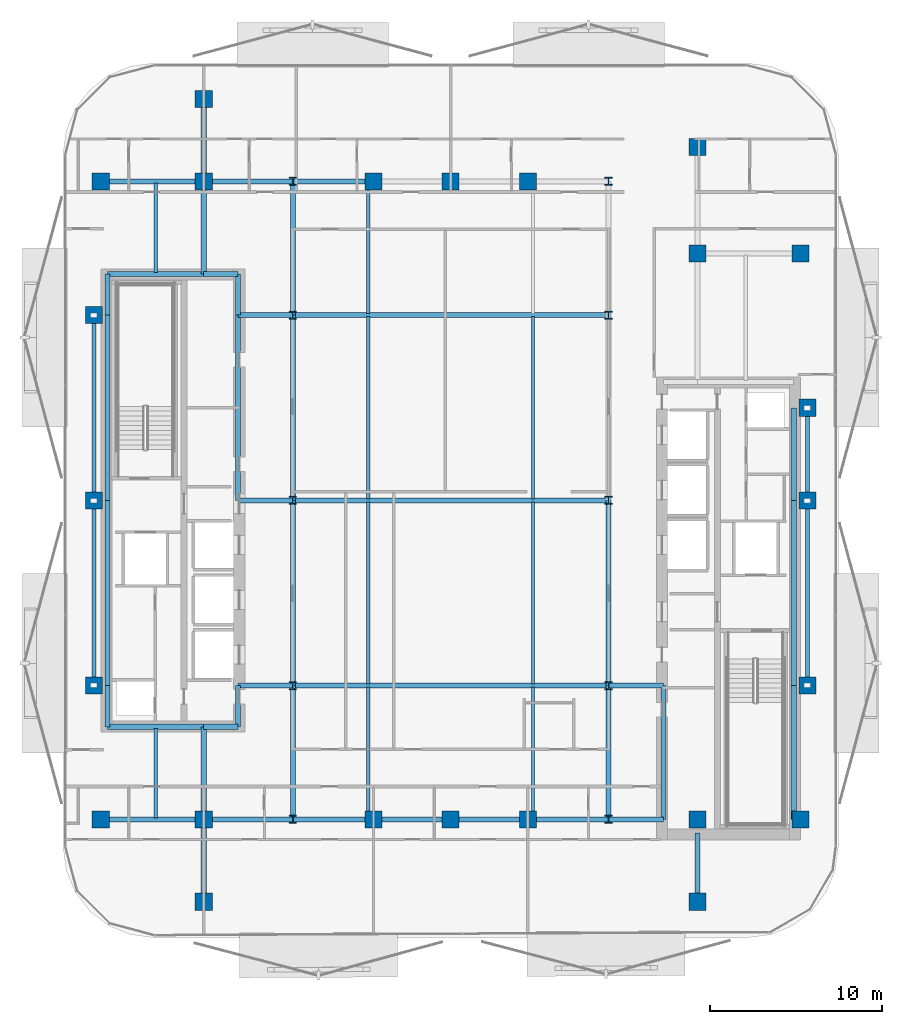
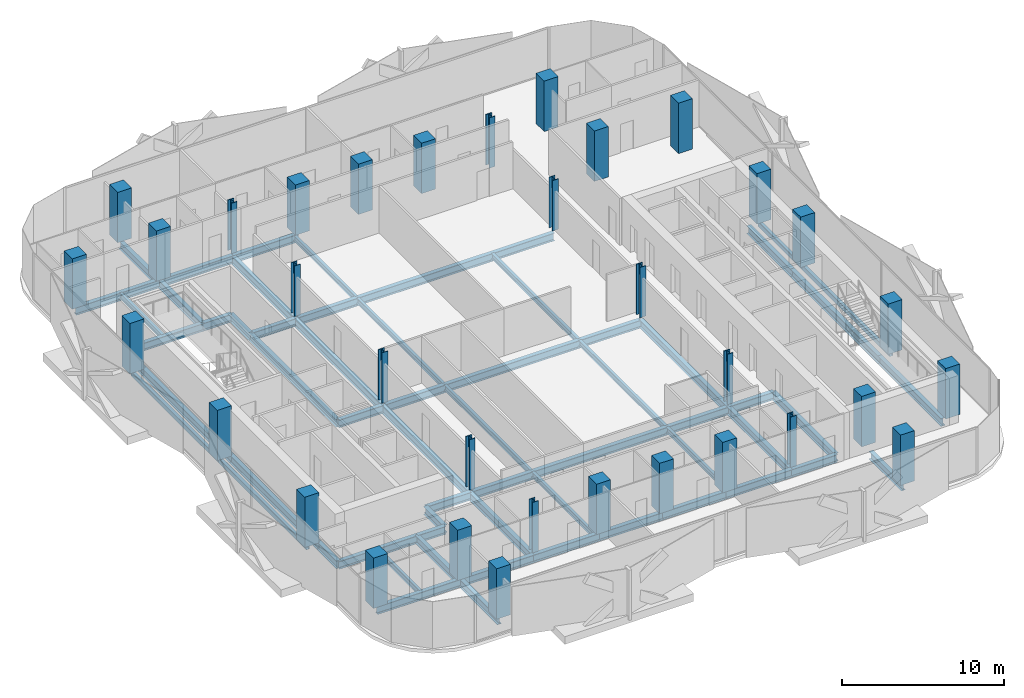
# One storey, part 1 of 17: 56 beams, 34 columns.
"""IFC4 building model written with IfcOpenShell, lengths in metres."""

from ifc_helpers import new_model, si_unit, direction, frame, origin, origin_2d, place, context, subcontext, project, spatial, rectangle, hollow_rectangle, i_section, extrude, material, material_profile, profile_set, type_object, element, save


model = new_model("IFC4")

# Units and contexts
model_context = context("Model", 3, precision=1e-05, world=origin(), true_north=direction((0.0, 1.0)))
body_context = subcontext(model_context, "Body", "Model", "MODEL_VIEW")
ifc_project = project(units=[si_unit("LENGTHUNIT", "METRE"), si_unit("AREAUNIT", "SQUARE_METRE"), si_unit("VOLUMEUNIT", "CUBIC_METRE"), si_unit("PLANEANGLEUNIT", "RADIAN"), si_unit("MASSUNIT", "GRAM", prefix="KILO")], contexts=[model_context])

# Site, building, storey
site_placement = place(None, origin())
site = spatial("IfcSite", under=ifc_project, at=site_placement, CompositionType="ELEMENT")
building_placement = place(site_placement, origin())
building = spatial("IfcBuilding", under=site, at=building_placement, Name="Khairoan Windgate Tower", CompositionType="ELEMENT")
storey_placement = place(building_placement, frame((0.0, 0.0, 176.39990234375)))
storey = spatial("IfcBuildingStorey", under=building, at=storey_placement, Name="L40", CompositionType="ELEMENT", Elevation=176.39990234375)

# Columns
ifc_material_1 = material(Name="Concrete C50/60", Category="concrete")
ifc_material_profile_1 = material_profile(ifc_material_1, rectangle(XDim=1.0, YDim=1.0, at=origin_2d()))
ifc_profile_set_1 = profile_set([ifc_material_profile_1], Name="Concrete C50/60")
column_type_1 = type_object("IfcColumnType", Name="Column C-T4 RC1000x1000", PredefinedType="COLUMN", material=ifc_profile_set_1)
for number, where, z_axis, x_axis, name in (
    (1, (-20.39990234375, -18.60009765625, 0.0), (0.0, 0.0, 1.0), (1.0, 0.0, 0.0), "Column L40-11"),
    (2, (-20.39990234375, 18.60009765625, 0.0), (0.0, 0.0, 1.0), (1.0, 0.0, 0.0), "Column L40-12"),
    (3, (20.39990234375, -18.60009765625, 0.0), (0.0, 0.0, 1.0), (1.0, 0.0, 0.0), "Column L40-13"),
    (4, (20.39990234375, 14.39990234375, 0.0), (0.0, 0.0, 1.0), (1.0, 0.0, 0.0), "Column L40-14"),
    (5, (-14.39990234375, -18.60009765625, 0.0), (0.0, 0.0, 1.0), (1.0, 0.0, 0.0), "Column L40-15"),
    (6, (-14.39990234375, 18.60009765625, 0.0), (0.0, 0.0, 1.0), (1.0, 0.0, 0.0), "Column L40-16"),
    (7, (14.39990234375, -18.60009765625, 0.0), (0.0, 0.0, 1.0), (1.0, 0.0, 0.0), "Column L40-17"),
    (8, (14.39990234375, 14.39990234375, 0.0), (0.0, 0.0, 1.0), (1.0, 0.0, 0.0), "Column L40-18"),
    (9, (-4.5, -18.60009765625, 0.0), (0.0, 0.0, 1.0), (1.0, 0.0, 0.0), "Column L40-19"),
    (10, (0.0, -18.60009765625, 0.0), (0.0, 0.0, 1.0), (1.0, 0.0, 0.0), "Column L40-20"),
    (11, (4.5, -18.60009765625, 0.0), (0.0, 0.0, 1.0), (1.0, 0.0, 0.0), "Column L40-21"),
    (12, (-4.5, 18.60009765625, 0.0), (0.0, 0.0, 1.0), (1.0, 0.0, 0.0), "Column L40-22"),
    (13, (0.0, 18.60009765625, 0.0), (0.0, 0.0, 1.0), (1.0, 0.0, 0.0), "Column L40-23"),
    (14, (4.5, 18.60009765625, 0.0), (0.0, 0.0, 1.0), (1.0, 0.0, 0.0), "Column L40-24"),
    (15, (-20.800048828125, -10.800048828125, 0.0), (0.0, 0.0, 1.0), (1.0, 0.0, 0.0), "Column L40-25"),
    (16, (-20.800048828125, 0.0, 0.0), (0.0, 0.0, 1.0), (1.0, 0.0, 0.0), "Column L40-26"),
    (17, (-20.800048828125, 10.800048828125, 0.0), (0.0, 0.0, 1.0), (1.0, 0.0, 0.0), "Column L40-27"),
    (18, (20.800048828125, -10.800048828125, 0.0), (0.0, 0.0, 1.0), (1.0, 0.0, 0.0), "Column L40-28"),
    (19, (20.800048828125, 0.0, 0.0), (0.0, 0.0, 1.0), (1.0, 0.0, 0.0), "Column L40-29"),
    (20, (20.800048828125, 5.39990234375, 0.0), (0.0, 0.0, 1.0), (1.0, 0.0, 0.0), "Column L40-30"),
    (21, (-14.39990234375, -23.39990234375, 0.0), (0.0, 0.0, 1.0), (1.0, 0.0, 0.0), "Column L40-31"),
    (22, (-14.39990234375, 23.39990234375, 0.0), (0.0, 0.0, 1.0), (1.0, 0.0, 0.0), "Column L40-32"),
    (23, (14.39990234375, -23.39990234375, 0.0), (0.0, 0.0, 1.0), (1.0, 0.0, 0.0), "Column L40-33"),
    (24, (14.39990234375, 20.60009765625, 0.0), (0.0, 0.0, 1.0), (1.0, 0.0, 0.0), "Column L40-34"),
):
    element("IfcColumn", number, at=place(storey_placement, frame(where, z_axis=z_axis, x_axis=x_axis)), inside=storey, type_object=column_type_1, Name=name, PredefinedType="COLUMN", context=body_context, shape_type="SweptSolid", body=[
        extrude(rectangle(XDim=1.0, YDim=1.0, at=origin_2d()), origin(), (0.0, 0.0, 1.0), 3.800048828125),
    ])
ifc_material_2 = material(Name="Steel S355", Category="steel")
ifc_material_profile_2 = material_profile(ifc_material_2, i_section(OverallWidth=0.4169921875, OverallDepth=0.4580078125, WebThickness=0.030029296875, FlangeThickness=0.050048828125, FilletRadius=0.02197265625, at=origin_2d()))
ifc_profile_set_2 = profile_set([ifc_material_profile_2], Name="Steel S355")
column_type_2 = type_object("IfcColumnType", Name="Steel Column SC2 H458x417x30x50", PredefinedType="COLUMN", material=ifc_profile_set_2)
for number, where, z_axis, x_axis, name in (
    (25, (-9.199951171875, -18.60009765625, 0.0), (0.0, 0.0, 1.0), (1.0, 0.0, 0.0), "Column L40-01"),
    (26, (-9.199951171875, -10.800048828125, 0.0), (0.0, 0.0, 1.0), (1.0, 0.0, 0.0), "Column L40-02"),
    (27, (-9.199951171875, 0.0, 0.0), (0.0, 0.0, 1.0), (1.0, 0.0, 0.0), "Column L40-03"),
    (28, (-9.199951171875, 10.800048828125, 0.0), (0.0, 0.0, 1.0), (1.0, 0.0, 0.0), "Column L40-04"),
    (29, (-9.199951171875, 18.60009765625, 0.0), (0.0, 0.0, 1.0), (1.0, 0.0, 0.0), "Column L40-05"),
    (30, (9.199951171875, -18.60009765625, 0.0), (0.0, 0.0, 1.0), (1.0, 0.0, 0.0), "Column L40-06"),
    (31, (9.199951171875, -10.800048828125, 0.0), (0.0, 0.0, 1.0), (1.0, 0.0, 0.0), "Column L40-07"),
    (32, (9.199951171875, 0.0, 0.0), (0.0, 0.0, 1.0), (1.0, 0.0, 0.0), "Column L40-08"),
    (33, (9.199951171875, 10.800048828125, 0.0), (0.0, 0.0, 1.0), (1.0, 0.0, 0.0), "Column L40-09"),
    (34, (9.199951171875, 18.60009765625, 0.0), (0.0, 0.0, 1.0), (1.0, 0.0, 0.0), "Column L40-10"),
):
    element("IfcColumn", number, at=place(storey_placement, frame(where, z_axis=z_axis, x_axis=x_axis)), inside=storey, type_object=column_type_2, Name=name, PredefinedType="COLUMN", context=body_context, shape_type="SweptSolid", body=[
        extrude(i_section(OverallWidth=0.4169921875, OverallDepth=0.4580078125, WebThickness=0.030029296875, FlangeThickness=0.050048828125, FilletRadius=0.02197265625, at=origin_2d()), origin(), (0.0, 0.0, 1.0), 3.800048828125),
    ])

# Beams
ifc_material_3 = material(Name="Steel S355", Category="steel")
ifc_material_profile_3 = material_profile(ifc_material_3, i_section(OverallWidth=0.300048828125, OverallDepth=0.587890625, WebThickness=0.011962890625, FlangeThickness=0.02001953125, FilletRadius=0.02392578125, at=origin_2d()))
ifc_profile_set_3 = profile_set([ifc_material_profile_3], Name="Steel S355")
beam_type_1 = type_object("IfcBeamType", Name="Beam B-G4 H588x300x12x20", PredefinedType="BEAM", material=ifc_profile_set_3)
beam_1_placement = place(storey_placement, frame((-20.39990234375, -18.60009765625, -0.553955078125), z_axis=(1.0, 0.0, 0.0), x_axis=(0.0, 1.0, 0.0)))
element("IfcBeam", 35, at=beam_1_placement, inside=storey, type_object=beam_type_1, Name="L40 E-W Primary Girder 01", PredefinedType="BEAM", context=body_context, shape_type="SweptSolid", body=[
    extrude(i_section(OverallWidth=0.300048828125, OverallDepth=0.587890625, WebThickness=0.011962890625, FlangeThickness=0.02001953125, FilletRadius=0.02392578125, at=origin_2d()), origin(), (0.0, 0.0, 1.0), 6.0),
])
beam_2_placement = place(storey_placement, frame((-14.39990234375, -18.60009765625, -0.553955078125), z_axis=(1.0, 0.0, 0.0), x_axis=(0.0, 1.0, 0.0)))
element("IfcBeam", 36, at=beam_2_placement, inside=storey, type_object=beam_type_1, Name="L40 E-W Primary Girder 02", PredefinedType="BEAM", context=body_context, shape_type="SweptSolid", body=[
    extrude(i_section(OverallWidth=0.300048828125, OverallDepth=0.587890625, WebThickness=0.011962890625, FlangeThickness=0.02001953125, FilletRadius=0.02392578125, at=origin_2d()), origin(), (0.0, 0.0, 1.0), 5.199951171875),
])
beam_3_placement = place(storey_placement, frame((-9.199951171875, -18.60009765625, -0.553955078125), z_axis=(1.0, 0.0, 0.0), x_axis=(0.0, 1.0, 0.0)))
element("IfcBeam", 37, at=beam_3_placement, inside=storey, type_object=beam_type_1, Name="L40 E-W Primary Girder 03", PredefinedType="BEAM", context=body_context, shape_type="SweptSolid", body=[
    extrude(i_section(OverallWidth=0.300048828125, OverallDepth=0.587890625, WebThickness=0.011962890625, FlangeThickness=0.02001953125, FilletRadius=0.02392578125, at=origin_2d()), origin(), (0.0, 0.0, 1.0), 4.699951171875),
])
for number, where, z_axis, x_axis, name in (
    (38, (-4.5, -18.60009765625, -0.553955078125), (1.0, 0.0, 0.0), (0.0, 1.0, 0.0), "L40 E-W Primary Girder 04"),
    (39, (0.0, -18.60009765625, -0.553955078125), (1.0, 0.0, 0.0), (0.0, 1.0, 0.0), "L40 E-W Primary Girder 05"),
):
    element("IfcBeam", number, at=place(storey_placement, frame(where, z_axis=z_axis, x_axis=x_axis)), inside=storey, type_object=beam_type_1, Name=name, PredefinedType="BEAM", context=body_context, shape_type="SweptSolid", body=[
        extrude(i_section(OverallWidth=0.300048828125, OverallDepth=0.587890625, WebThickness=0.011962890625, FlangeThickness=0.02001953125, FilletRadius=0.02392578125, at=origin_2d()), origin(), (0.0, 0.0, 1.0), 4.5),
    ])
beam_4_placement = place(storey_placement, frame((4.5, -18.60009765625, -0.553955078125), z_axis=(1.0, 0.0, 0.0), x_axis=(0.0, 1.0, 0.0)))
element("IfcBeam", 40, at=beam_4_placement, inside=storey, type_object=beam_type_1, Name="L40 E-W Primary Girder 06", PredefinedType="BEAM", context=body_context, shape_type="SweptSolid", body=[
    extrude(i_section(OverallWidth=0.300048828125, OverallDepth=0.587890625, WebThickness=0.011962890625, FlangeThickness=0.02001953125, FilletRadius=0.02392578125, at=origin_2d()), origin(), (0.0, 0.0, 1.0), 4.699951171875),
])
beam_5_placement = place(storey_placement, frame((9.199951171875, -18.60009765625, -0.553955078125), z_axis=(1.0, 0.0, 0.0), x_axis=(0.0, 1.0, 0.0)))
element("IfcBeam", 41, at=beam_5_placement, inside=storey, type_object=beam_type_1, Name="L40 E-W Primary Girder 07", PredefinedType="BEAM", context=body_context, shape_type="SweptSolid", body=[
    extrude(i_section(OverallWidth=0.300048828125, OverallDepth=0.587890625, WebThickness=0.011962890625, FlangeThickness=0.02001953125, FilletRadius=0.02392578125, at=origin_2d()), origin(), (0.0, 0.0, 1.0), 3.199951171875),
])
beam_6_placement = place(storey_placement, frame((-20.0, -13.199951171875, -0.553955078125), z_axis=(1.0, 0.0, 0.0), x_axis=(0.0, 1.0, 0.0)))
element("IfcBeam", 42, at=beam_6_placement, inside=storey, type_object=beam_type_1, Name="L40 E-W Primary Girder 08", PredefinedType="BEAM", context=body_context, shape_type="SweptSolid", body=[
    extrude(i_section(OverallWidth=0.300048828125, OverallDepth=0.587890625, WebThickness=0.011962890625, FlangeThickness=0.02001953125, FilletRadius=0.02392578125, at=origin_2d()), origin(), (0.0, 0.0, 1.0), 5.60009765625),
])
beam_7_placement = place(storey_placement, frame((-14.39990234375, -13.199951171875, -0.553955078125), z_axis=(1.0, 0.0, 0.0), x_axis=(0.0, 1.0, 0.0)))
element("IfcBeam", 43, at=beam_7_placement, inside=storey, type_object=beam_type_1, Name="L40 E-W Primary Girder 09", PredefinedType="BEAM", context=body_context, shape_type="SweptSolid", body=[
    extrude(i_section(OverallWidth=0.300048828125, OverallDepth=0.587890625, WebThickness=0.011962890625, FlangeThickness=0.02001953125, FilletRadius=0.02392578125, at=origin_2d()), origin(), (0.0, 0.0, 1.0), 2.0),
])
beam_8_placement = place(storey_placement, frame((-12.39990234375, -10.800048828125, -0.553955078125), z_axis=(1.0, 0.0, 0.0), x_axis=(0.0, 1.0, 0.0)))
element("IfcBeam", 44, at=beam_8_placement, inside=storey, type_object=beam_type_1, Name="L40 E-W Primary Girder 10", PredefinedType="BEAM", context=body_context, shape_type="SweptSolid", body=[
    extrude(i_section(OverallWidth=0.300048828125, OverallDepth=0.587890625, WebThickness=0.011962890625, FlangeThickness=0.02001953125, FilletRadius=0.02392578125, at=origin_2d()), origin(), (0.0, 0.0, 1.0), 3.199951171875),
])
beam_9_placement = place(storey_placement, frame((-9.199951171875, -10.800048828125, -0.553955078125), z_axis=(1.0, 0.0, 0.0), x_axis=(0.0, 1.0, 0.0)))
element("IfcBeam", 45, at=beam_9_placement, inside=storey, type_object=beam_type_1, Name="L40 E-W Primary Girder 11", PredefinedType="BEAM", context=body_context, shape_type="SweptSolid", body=[
    extrude(i_section(OverallWidth=0.300048828125, OverallDepth=0.587890625, WebThickness=0.011962890625, FlangeThickness=0.02001953125, FilletRadius=0.02392578125, at=origin_2d()), origin(), (0.0, 0.0, 1.0), 18.39990234375),
])
for number, where, z_axis, x_axis, name in (
    (46, (9.199951171875, -10.800048828125, -0.553955078125), (1.0, 0.0, 0.0), (0.0, 1.0, 0.0), "L40 E-W Primary Girder 12"),
    (47, (-12.39990234375, 0.0, -0.553955078125), (1.0, 0.0, 0.0), (0.0, 1.0, 0.0), "L40 E-W Primary Girder 13"),
):
    element("IfcBeam", number, at=place(storey_placement, frame(where, z_axis=z_axis, x_axis=x_axis)), inside=storey, type_object=beam_type_1, Name=name, PredefinedType="BEAM", context=body_context, shape_type="SweptSolid", body=[
        extrude(i_section(OverallWidth=0.300048828125, OverallDepth=0.587890625, WebThickness=0.011962890625, FlangeThickness=0.02001953125, FilletRadius=0.02392578125, at=origin_2d()), origin(), (0.0, 0.0, 1.0), 3.199951171875),
    ])
beam_10_placement = place(storey_placement, frame((-9.199951171875, 0.0, -0.553955078125), z_axis=(1.0, 0.0, 0.0), x_axis=(0.0, 1.0, 0.0)))
element("IfcBeam", 48, at=beam_10_placement, inside=storey, type_object=beam_type_1, Name="L40 E-W Primary Girder 14", PredefinedType="BEAM", context=body_context, shape_type="SweptSolid", body=[
    extrude(i_section(OverallWidth=0.300048828125, OverallDepth=0.587890625, WebThickness=0.011962890625, FlangeThickness=0.02001953125, FilletRadius=0.02392578125, at=origin_2d()), origin(), (0.0, 0.0, 1.0), 18.39990234375),
])
beam_11_placement = place(storey_placement, frame((-12.39990234375, 10.800048828125, -0.553955078125), z_axis=(1.0, 0.0, 0.0), x_axis=(0.0, 1.0, 0.0)))
element("IfcBeam", 49, at=beam_11_placement, inside=storey, type_object=beam_type_1, Name="L40 E-W Primary Girder 17", PredefinedType="BEAM", context=body_context, shape_type="SweptSolid", body=[
    extrude(i_section(OverallWidth=0.300048828125, OverallDepth=0.587890625, WebThickness=0.011962890625, FlangeThickness=0.02001953125, FilletRadius=0.02392578125, at=origin_2d()), origin(), (0.0, 0.0, 1.0), 3.199951171875),
])
beam_12_placement = place(storey_placement, frame((-9.199951171875, 10.800048828125, -0.553955078125), z_axis=(1.0, 0.0, 0.0), x_axis=(0.0, 1.0, 0.0)))
element("IfcBeam", 50, at=beam_12_placement, inside=storey, type_object=beam_type_1, Name="L40 E-W Primary Girder 18", PredefinedType="BEAM", context=body_context, shape_type="SweptSolid", body=[
    extrude(i_section(OverallWidth=0.300048828125, OverallDepth=0.587890625, WebThickness=0.011962890625, FlangeThickness=0.02001953125, FilletRadius=0.02392578125, at=origin_2d()), origin(), (0.0, 0.0, 1.0), 18.39990234375),
])
beam_13_placement = place(storey_placement, frame((-20.0, 13.199951171875, -0.553955078125), z_axis=(1.0, 0.0, 0.0), x_axis=(0.0, 1.0, 0.0)))
element("IfcBeam", 51, at=beam_13_placement, inside=storey, type_object=beam_type_1, Name="L40 E-W Primary Girder 19", PredefinedType="BEAM", context=body_context, shape_type="SweptSolid", body=[
    extrude(i_section(OverallWidth=0.300048828125, OverallDepth=0.587890625, WebThickness=0.011962890625, FlangeThickness=0.02001953125, FilletRadius=0.02392578125, at=origin_2d()), origin(), (0.0, 0.0, 1.0), 5.60009765625),
])
beam_14_placement = place(storey_placement, frame((-14.39990234375, 13.199951171875, -0.553955078125), z_axis=(1.0, 0.0, 0.0), x_axis=(0.0, 1.0, 0.0)))
element("IfcBeam", 52, at=beam_14_placement, inside=storey, type_object=beam_type_1, Name="L40 E-W Primary Girder 20", PredefinedType="BEAM", context=body_context, shape_type="SweptSolid", body=[
    extrude(i_section(OverallWidth=0.300048828125, OverallDepth=0.587890625, WebThickness=0.011962890625, FlangeThickness=0.02001953125, FilletRadius=0.02392578125, at=origin_2d()), origin(), (0.0, 0.0, 1.0), 2.0),
])
beam_15_placement = place(storey_placement, frame((-20.39990234375, 18.60009765625, -0.553955078125), z_axis=(1.0, 0.0, 0.0), x_axis=(0.0, 1.0, 0.0)))
element("IfcBeam", 53, at=beam_15_placement, inside=storey, type_object=beam_type_1, Name="L40 E-W Primary Girder 22", PredefinedType="BEAM", context=body_context, shape_type="SweptSolid", body=[
    extrude(i_section(OverallWidth=0.300048828125, OverallDepth=0.587890625, WebThickness=0.011962890625, FlangeThickness=0.02001953125, FilletRadius=0.02392578125, at=origin_2d()), origin(), (0.0, 0.0, 1.0), 6.0),
])
beam_16_placement = place(storey_placement, frame((-14.39990234375, 18.60009765625, -0.553955078125), z_axis=(1.0, 0.0, 0.0), x_axis=(0.0, 1.0, 0.0)))
element("IfcBeam", 54, at=beam_16_placement, inside=storey, type_object=beam_type_1, Name="L40 E-W Primary Girder 23", PredefinedType="BEAM", context=body_context, shape_type="SweptSolid", body=[
    extrude(i_section(OverallWidth=0.300048828125, OverallDepth=0.587890625, WebThickness=0.011962890625, FlangeThickness=0.02001953125, FilletRadius=0.02392578125, at=origin_2d()), origin(), (0.0, 0.0, 1.0), 5.199951171875),
])
beam_17_placement = place(storey_placement, frame((-9.199951171875, 18.60009765625, -0.553955078125), z_axis=(1.0, 0.0, 0.0), x_axis=(0.0, 1.0, 0.0)))
element("IfcBeam", 55, at=beam_17_placement, inside=storey, type_object=beam_type_1, Name="L40 E-W Primary Girder 24", PredefinedType="BEAM", context=body_context, shape_type="SweptSolid", body=[
    extrude(i_section(OverallWidth=0.300048828125, OverallDepth=0.587890625, WebThickness=0.011962890625, FlangeThickness=0.02001953125, FilletRadius=0.02392578125, at=origin_2d()), origin(), (0.0, 0.0, 1.0), 4.699951171875),
])
beam_18_placement = place(storey_placement, frame((-20.0, -13.199951171875, -0.553955078125), z_axis=(0.0, 1.0, 0.0), x_axis=(-1.0, 0.0, 0.0)))
element("IfcBeam", 56, at=beam_18_placement, inside=storey, type_object=beam_type_1, Name="L40 N-S Primary Beam 30", PredefinedType="BEAM", context=body_context, shape_type="SweptSolid", body=[
    extrude(i_section(OverallWidth=0.300048828125, OverallDepth=0.587890625, WebThickness=0.011962890625, FlangeThickness=0.02001953125, FilletRadius=0.02392578125, at=origin_2d()), origin(), (0.0, 0.0, 1.0), 2.39990234375),
])
for number, where, z_axis, x_axis, name in (
    (57, (-20.0, -10.800048828125, -0.553955078125), (0.0, 1.0, 0.0), (-1.0, 0.0, 0.0), "L40 N-S Primary Beam 31"),
    (58, (-20.0, 0.0, -0.553955078125), (0.0, 1.0, 0.0), (-1.0, 0.0, 0.0), "L40 N-S Primary Beam 32"),
):
    element("IfcBeam", number, at=place(storey_placement, frame(where, z_axis=z_axis, x_axis=x_axis)), inside=storey, type_object=beam_type_1, Name=name, PredefinedType="BEAM", context=body_context, shape_type="SweptSolid", body=[
        extrude(i_section(OverallWidth=0.300048828125, OverallDepth=0.587890625, WebThickness=0.011962890625, FlangeThickness=0.02001953125, FilletRadius=0.02392578125, at=origin_2d()), origin(), (0.0, 0.0, 1.0), 10.800048828125),
    ])
beam_19_placement = place(storey_placement, frame((-20.0, 10.800048828125, -0.553955078125), z_axis=(0.0, 1.0, 0.0), x_axis=(-1.0, 0.0, 0.0)))
element("IfcBeam", 59, at=beam_19_placement, inside=storey, type_object=beam_type_1, Name="L40 N-S Primary Beam 33", PredefinedType="BEAM", context=body_context, shape_type="SweptSolid", body=[
    extrude(i_section(OverallWidth=0.300048828125, OverallDepth=0.587890625, WebThickness=0.011962890625, FlangeThickness=0.02001953125, FilletRadius=0.02392578125, at=origin_2d()), origin(), (0.0, 0.0, 1.0), 2.39990234375),
])
beam_20_placement = place(storey_placement, frame((-14.39990234375, -23.39990234375, -0.553955078125), z_axis=(0.0, 1.0, 0.0), x_axis=(-1.0, 0.0, 0.0)))
element("IfcBeam", 60, at=beam_20_placement, inside=storey, type_object=beam_type_1, Name="L40 N-S Primary Beam 34", PredefinedType="BEAM", context=body_context, shape_type="SweptSolid", body=[
    extrude(i_section(OverallWidth=0.300048828125, OverallDepth=0.587890625, WebThickness=0.011962890625, FlangeThickness=0.02001953125, FilletRadius=0.02392578125, at=origin_2d()), origin(), (0.0, 0.0, 1.0), 4.7998046875),
])
for number, where, z_axis, x_axis, name in (
    (61, (-14.39990234375, -18.60009765625, -0.553955078125), (0.0, 1.0, 0.0), (-1.0, 0.0, 0.0), "L40 N-S Primary Beam 35"),
    (62, (-14.39990234375, 13.199951171875, -0.553955078125), (0.0, 1.0, 0.0), (-1.0, 0.0, 0.0), "L40 N-S Primary Beam 36"),
):
    element("IfcBeam", number, at=place(storey_placement, frame(where, z_axis=z_axis, x_axis=x_axis)), inside=storey, type_object=beam_type_1, Name=name, PredefinedType="BEAM", context=body_context, shape_type="SweptSolid", body=[
        extrude(i_section(OverallWidth=0.300048828125, OverallDepth=0.587890625, WebThickness=0.011962890625, FlangeThickness=0.02001953125, FilletRadius=0.02392578125, at=origin_2d()), origin(), (0.0, 0.0, 1.0), 5.400146484375),
    ])
beam_21_placement = place(storey_placement, frame((-14.39990234375, 18.60009765625, -0.553955078125), z_axis=(0.0, 1.0, 0.0), x_axis=(-1.0, 0.0, 0.0)))
element("IfcBeam", 63, at=beam_21_placement, inside=storey, type_object=beam_type_1, Name="L40 N-S Primary Beam 37", PredefinedType="BEAM", context=body_context, shape_type="SweptSolid", body=[
    extrude(i_section(OverallWidth=0.300048828125, OverallDepth=0.587890625, WebThickness=0.011962890625, FlangeThickness=0.02001953125, FilletRadius=0.02392578125, at=origin_2d()), origin(), (0.0, 0.0, 1.0), 4.7998046875),
])
beam_22_placement = place(storey_placement, frame((-12.39990234375, -13.199951171875, -0.553955078125), z_axis=(0.0, 1.0, 0.0), x_axis=(-1.0, 0.0, 0.0)))
element("IfcBeam", 64, at=beam_22_placement, inside=storey, type_object=beam_type_1, Name="L40 N-S Primary Beam 38", PredefinedType="BEAM", context=body_context, shape_type="SweptSolid", body=[
    extrude(i_section(OverallWidth=0.300048828125, OverallDepth=0.587890625, WebThickness=0.011962890625, FlangeThickness=0.02001953125, FilletRadius=0.02392578125, at=origin_2d()), origin(), (0.0, 0.0, 1.0), 2.39990234375),
])
beam_23_placement = place(storey_placement, frame((-12.39990234375, 0.0, -0.553955078125), z_axis=(0.0, 1.0, 0.0), x_axis=(-1.0, 0.0, 0.0)))
element("IfcBeam", 65, at=beam_23_placement, inside=storey, type_object=beam_type_1, Name="L40 N-S Primary Beam 39", PredefinedType="BEAM", context=body_context, shape_type="SweptSolid", body=[
    extrude(i_section(OverallWidth=0.300048828125, OverallDepth=0.587890625, WebThickness=0.011962890625, FlangeThickness=0.02001953125, FilletRadius=0.02392578125, at=origin_2d()), origin(), (0.0, 0.0, 1.0), 10.800048828125),
])
beam_24_placement = place(storey_placement, frame((-12.39990234375, 10.800048828125, -0.553955078125), z_axis=(0.0, 1.0, 0.0), x_axis=(-1.0, 0.0, 0.0)))
element("IfcBeam", 66, at=beam_24_placement, inside=storey, type_object=beam_type_1, Name="L40 N-S Primary Beam 40", PredefinedType="BEAM", context=body_context, shape_type="SweptSolid", body=[
    extrude(i_section(OverallWidth=0.300048828125, OverallDepth=0.587890625, WebThickness=0.011962890625, FlangeThickness=0.02001953125, FilletRadius=0.02392578125, at=origin_2d()), origin(), (0.0, 0.0, 1.0), 2.39990234375),
])
beam_25_placement = place(storey_placement, frame((-9.199951171875, -18.60009765625, -0.553955078125), z_axis=(0.0, 1.0, 0.0), x_axis=(-1.0, 0.0, 0.0)))
element("IfcBeam", 67, at=beam_25_placement, inside=storey, type_object=beam_type_1, Name="L40 N-S Primary Beam 41", PredefinedType="BEAM", context=body_context, shape_type="SweptSolid", body=[
    extrude(i_section(OverallWidth=0.300048828125, OverallDepth=0.587890625, WebThickness=0.011962890625, FlangeThickness=0.02001953125, FilletRadius=0.02392578125, at=origin_2d()), origin(), (0.0, 0.0, 1.0), 7.800048828125),
])
for number, where, z_axis, x_axis, name in (
    (68, (-9.199951171875, -10.800048828125, -0.553955078125), (0.0, 1.0, 0.0), (-1.0, 0.0, 0.0), "L40 N-S Primary Beam 42"),
    (69, (-9.199951171875, 0.0, -0.553955078125), (0.0, 1.0, 0.0), (-1.0, 0.0, 0.0), "L40 N-S Primary Beam 43"),
):
    element("IfcBeam", number, at=place(storey_placement, frame(where, z_axis=z_axis, x_axis=x_axis)), inside=storey, type_object=beam_type_1, Name=name, PredefinedType="BEAM", context=body_context, shape_type="SweptSolid", body=[
        extrude(i_section(OverallWidth=0.300048828125, OverallDepth=0.587890625, WebThickness=0.011962890625, FlangeThickness=0.02001953125, FilletRadius=0.02392578125, at=origin_2d()), origin(), (0.0, 0.0, 1.0), 10.800048828125),
    ])
for number, where, z_axis, x_axis, name in (
    (70, (-9.199951171875, 10.800048828125, -0.553955078125), (0.0, 1.0, 0.0), (-1.0, 0.0, 0.0), "L40 N-S Primary Beam 44"),
    (71, (9.199951171875, -18.60009765625, -0.553955078125), (0.0, 1.0, 0.0), (-1.0, 0.0, 0.0), "L40 N-S Primary Beam 45"),
):
    element("IfcBeam", number, at=place(storey_placement, frame(where, z_axis=z_axis, x_axis=x_axis)), inside=storey, type_object=beam_type_1, Name=name, PredefinedType="BEAM", context=body_context, shape_type="SweptSolid", body=[
        extrude(i_section(OverallWidth=0.300048828125, OverallDepth=0.587890625, WebThickness=0.011962890625, FlangeThickness=0.02001953125, FilletRadius=0.02392578125, at=origin_2d()), origin(), (0.0, 0.0, 1.0), 7.800048828125),
    ])
beam_26_placement = place(storey_placement, frame((9.199951171875, -10.800048828125, -0.553955078125), z_axis=(0.0, 1.0, 0.0), x_axis=(-1.0, 0.0, 0.0)))
element("IfcBeam", 72, at=beam_26_placement, inside=storey, type_object=beam_type_1, Name="L40 N-S Primary Beam 46", PredefinedType="BEAM", context=body_context, shape_type="SweptSolid", body=[
    extrude(i_section(OverallWidth=0.300048828125, OverallDepth=0.587890625, WebThickness=0.011962890625, FlangeThickness=0.02001953125, FilletRadius=0.02392578125, at=origin_2d()), origin(), (0.0, 0.0, 1.0), 10.800048828125),
])
beam_27_placement = place(storey_placement, frame((12.39990234375, -18.60009765625, -0.553955078125), z_axis=(0.0, 1.0, 0.0), x_axis=(-1.0, 0.0, 0.0)))
element("IfcBeam", 73, at=beam_27_placement, inside=storey, type_object=beam_type_1, Name="L40 N-S Primary Beam 49", PredefinedType="BEAM", context=body_context, shape_type="SweptSolid", body=[
    extrude(i_section(OverallWidth=0.300048828125, OverallDepth=0.587890625, WebThickness=0.011962890625, FlangeThickness=0.02001953125, FilletRadius=0.02392578125, at=origin_2d()), origin(), (0.0, 0.0, 1.0), 7.800048828125),
])
beam_28_placement = place(storey_placement, frame((14.39990234375, -23.39990234375, -0.553955078125), z_axis=(0.0, 1.0, 0.0), x_axis=(-1.0, 0.0, 0.0)))
element("IfcBeam", 74, at=beam_28_placement, inside=storey, type_object=beam_type_1, Name="L40 N-S Primary Beam 50", PredefinedType="BEAM", context=body_context, shape_type="SweptSolid", body=[
    extrude(i_section(OverallWidth=0.300048828125, OverallDepth=0.587890625, WebThickness=0.011962890625, FlangeThickness=0.02001953125, FilletRadius=0.02392578125, at=origin_2d()), origin(), (0.0, 0.0, 1.0), 4.0),
])
beam_29_placement = place(storey_placement, frame((20.0, -18.60009765625, -0.553955078125), z_axis=(0.0, 1.0, 0.0), x_axis=(-1.0, 0.0, 0.0)))
element("IfcBeam", 75, at=beam_29_placement, inside=storey, type_object=beam_type_1, Name="L40 N-S Primary Beam 53", PredefinedType="BEAM", context=body_context, shape_type="SweptSolid", body=[
    extrude(i_section(OverallWidth=0.300048828125, OverallDepth=0.587890625, WebThickness=0.011962890625, FlangeThickness=0.02001953125, FilletRadius=0.02392578125, at=origin_2d()), origin(), (0.0, 0.0, 1.0), 7.800048828125),
])
beam_30_placement = place(storey_placement, frame((20.0, -10.800048828125, -0.553955078125), z_axis=(0.0, 1.0, 0.0), x_axis=(-1.0, 0.0, 0.0)))
element("IfcBeam", 76, at=beam_30_placement, inside=storey, type_object=beam_type_1, Name="L40 N-S Primary Beam 54", PredefinedType="BEAM", context=body_context, shape_type="SweptSolid", body=[
    extrude(i_section(OverallWidth=0.300048828125, OverallDepth=0.587890625, WebThickness=0.011962890625, FlangeThickness=0.02001953125, FilletRadius=0.02392578125, at=origin_2d()), origin(), (0.0, 0.0, 1.0), 10.800048828125),
])
beam_31_placement = place(storey_placement, frame((20.0, 0.0, -0.553955078125), z_axis=(0.0, 1.0, 0.0), x_axis=(-1.0, 0.0, 0.0)))
element("IfcBeam", 77, at=beam_31_placement, inside=storey, type_object=beam_type_1, Name="L40 N-S Primary Beam 55", PredefinedType="BEAM", context=body_context, shape_type="SweptSolid", body=[
    extrude(i_section(OverallWidth=0.300048828125, OverallDepth=0.587890625, WebThickness=0.011962890625, FlangeThickness=0.02001953125, FilletRadius=0.02392578125, at=origin_2d()), origin(), (0.0, 0.0, 1.0), 5.39990234375),
])
ifc_material_4 = material(Name="Steel S355", Category="steel")
ifc_material_profile_4 = material_profile(ifc_material_4, i_section(OverallWidth=0.199951171875, OverallDepth=0.39990234375, WebThickness=0.008056640625, FlangeThickness=0.012939453125, FilletRadius=0.01611328125, at=origin_2d()))
ifc_profile_set_4 = profile_set([ifc_material_profile_4], Name="Steel S355")
beam_type_2 = type_object("IfcBeamType", Name="Beam J-S4 H400x200x8x13", PredefinedType="JOIST", material=ifc_profile_set_4)
for number, where, z_axis, x_axis, name in (
    (78, (-17.199951171875, -18.510009765625, -0.4599609375), (0.0, 1.0, 0.0), (-1.0, 0.0, 0.0), "L40 Secondary Floor Joist 01"),
    (79, (-17.199951171875, 13.2900390625, -0.4599609375), (0.0, 1.0, 0.0), (-1.0, 0.0, 0.0), "L40 Secondary Floor Joist 02"),
):
    element("IfcBeam", number, at=place(storey_placement, frame(where, z_axis=z_axis, x_axis=x_axis)), inside=storey, type_object=beam_type_2, Name=name, PredefinedType="JOIST", context=body_context, shape_type="SweptSolid", body=[
        extrude(i_section(OverallWidth=0.199951171875, OverallDepth=0.39990234375, WebThickness=0.008056640625, FlangeThickness=0.012939453125, FilletRadius=0.01611328125, at=origin_2d()), origin(), (0.0, 0.0, 1.0), 5.219970703125),
    ])
beam_32_placement = place(storey_placement, frame((-4.800048828125, -18.510009765625, -0.4599609375), z_axis=(0.0, 1.0, 0.0), x_axis=(-1.0, 0.0, 0.0)))
element("IfcBeam", 80, at=beam_32_placement, inside=storey, type_object=beam_type_2, Name="L40 Secondary Floor Joist 03", PredefinedType="JOIST", context=body_context, shape_type="SweptSolid", body=[
    extrude(i_section(OverallWidth=0.199951171875, OverallDepth=0.39990234375, WebThickness=0.008056640625, FlangeThickness=0.012939453125, FilletRadius=0.01611328125, at=origin_2d()), origin(), (0.0, 0.0, 1.0), 7.6201171875),
])
for number, where, z_axis, x_axis, name in (
    (81, (-4.800048828125, -10.7099609375, -0.4599609375), (0.0, 1.0, 0.0), (-1.0, 0.0, 0.0), "L40 Secondary Floor Joist 04"),
    (82, (-4.800048828125, 0.090087890625, -0.4599609375), (0.0, 1.0, 0.0), (-1.0, 0.0, 0.0), "L40 Secondary Floor Joist 05"),
):
    element("IfcBeam", number, at=place(storey_placement, frame(where, z_axis=z_axis, x_axis=x_axis)), inside=storey, type_object=beam_type_2, Name=name, PredefinedType="JOIST", context=body_context, shape_type="SweptSolid", body=[
        extrude(i_section(OverallWidth=0.199951171875, OverallDepth=0.39990234375, WebThickness=0.008056640625, FlangeThickness=0.012939453125, FilletRadius=0.01611328125, at=origin_2d()), origin(), (0.0, 0.0, 1.0), 10.619873046875),
    ])
for number, where, z_axis, x_axis, name in (
    (83, (-4.800048828125, 10.889892578125, -0.4599609375), (0.0, 1.0, 0.0), (-1.0, 0.0, 0.0), "L40 Secondary Floor Joist 06"),
    (84, (4.800048828125, -18.510009765625, -0.4599609375), (0.0, 1.0, 0.0), (-1.0, 0.0, 0.0), "L40 Secondary Floor Joist 07"),
):
    element("IfcBeam", number, at=place(storey_placement, frame(where, z_axis=z_axis, x_axis=x_axis)), inside=storey, type_object=beam_type_2, Name=name, PredefinedType="JOIST", context=body_context, shape_type="SweptSolid", body=[
        extrude(i_section(OverallWidth=0.199951171875, OverallDepth=0.39990234375, WebThickness=0.008056640625, FlangeThickness=0.012939453125, FilletRadius=0.01611328125, at=origin_2d()), origin(), (0.0, 0.0, 1.0), 7.6201171875),
    ])
for number, where, z_axis, x_axis, name in (
    (85, (4.800048828125, -10.7099609375, -0.4599609375), (0.0, 1.0, 0.0), (-1.0, 0.0, 0.0), "L40 Secondary Floor Joist 08"),
    (86, (4.800048828125, 0.090087890625, -0.4599609375), (0.0, 1.0, 0.0), (-1.0, 0.0, 0.0), "L40 Secondary Floor Joist 09"),
):
    element("IfcBeam", number, at=place(storey_placement, frame(where, z_axis=z_axis, x_axis=x_axis)), inside=storey, type_object=beam_type_2, Name=name, PredefinedType="JOIST", context=body_context, shape_type="SweptSolid", body=[
        extrude(i_section(OverallWidth=0.199951171875, OverallDepth=0.39990234375, WebThickness=0.008056640625, FlangeThickness=0.012939453125, FilletRadius=0.01611328125, at=origin_2d()), origin(), (0.0, 0.0, 1.0), 10.619873046875),
    ])
ifc_material_5 = material(Name="Steel S355", Category="steel")
ifc_material_profile_5 = material_profile(ifc_material_5, hollow_rectangle(XDim=0.25, YDim=0.35009765625, WallThickness=0.012451171875, InnerFilletRadius=0.012451171875, OuterFilletRadius=0.02490234375, at=origin_2d()))
ifc_profile_set_5 = profile_set([ifc_material_profile_5], Name="Steel S355")
beam_type_3 = type_object("IfcBeamType", Name="Beam SP-B2 RHS350x250x12.5", PredefinedType="SPANDREL", material=ifc_profile_set_5)
for number, where, z_axis, x_axis, name in (
    (87, (-20.800048828125, -10.800048828125, -0.434814453125), (0.0, 1.0, 0.0), (-1.0, 0.0, 0.0), "L40 Spandrel Beam 28"),
    (88, (-20.800048828125, 0.0, -0.434814453125), (0.0, 1.0, 0.0), (-1.0, 0.0, 0.0), "L40 Spandrel Beam 29"),
    (89, (20.800048828125, -10.800048828125, -0.434814453125), (0.0, 1.0, 0.0), (-1.0, 0.0, 0.0), "L40 Spandrel Beam 56"),
):
    element("IfcBeam", number, at=place(storey_placement, frame(where, z_axis=z_axis, x_axis=x_axis)), inside=storey, type_object=beam_type_3, Name=name, PredefinedType="SPANDREL", context=body_context, shape_type="SweptSolid", body=[
        extrude(hollow_rectangle(XDim=0.25, YDim=0.35009765625, WallThickness=0.012451171875, InnerFilletRadius=0.012451171875, OuterFilletRadius=0.02490234375, at=origin_2d()), origin(), (0.0, 0.0, 1.0), 10.800048828125),
    ])
beam_33_placement = place(storey_placement, frame((20.800048828125, 0.0, -0.434814453125), z_axis=(0.0, 1.0, 0.0), x_axis=(-1.0, 0.0, 0.0)))
element("IfcBeam", 90, at=beam_33_placement, inside=storey, type_object=beam_type_3, Name="L40 Spandrel Beam 57", PredefinedType="SPANDREL", context=body_context, shape_type="SweptSolid", body=[
    extrude(hollow_rectangle(XDim=0.25, YDim=0.35009765625, WallThickness=0.012451171875, InnerFilletRadius=0.012451171875, OuterFilletRadius=0.02490234375, at=origin_2d()), origin(), (0.0, 0.0, 1.0), 5.39990234375),
])

save(model, "model.ifc")
